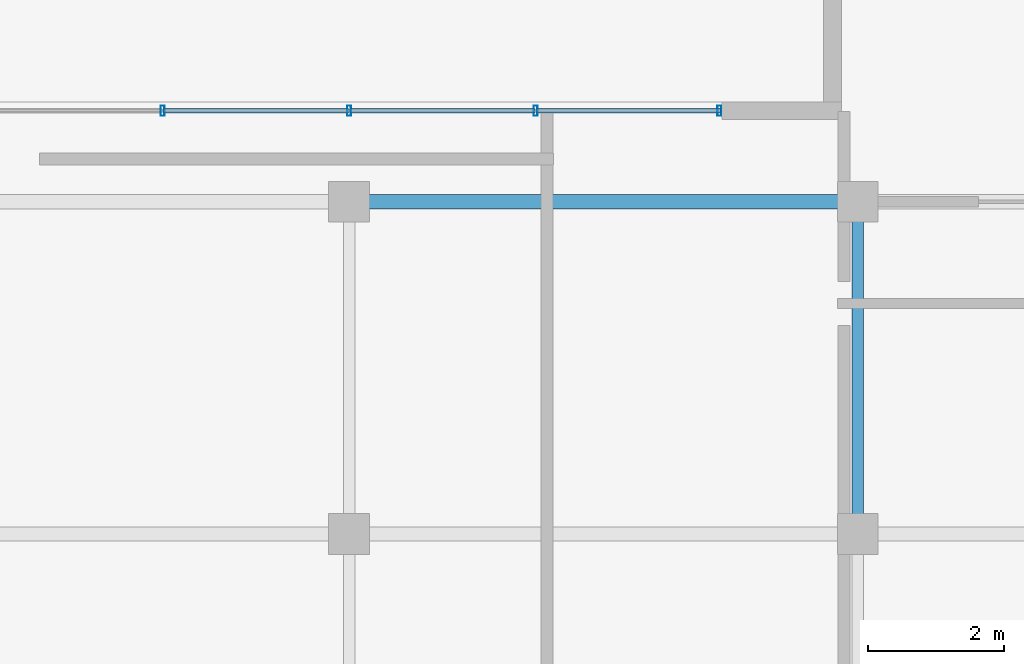
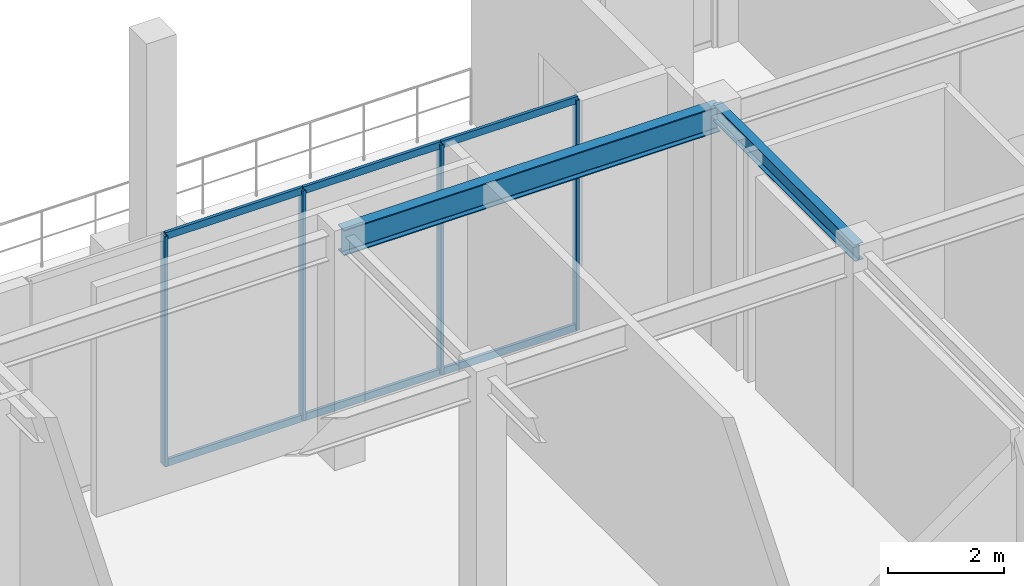
# One storey, part 4 of 12: 10 members, 2 beams, 1 element without a shape of its own.
"""IFC4 building model written with IfcOpenShell, lengths in metres."""

from ifc_helpers import new_model, si_unit, direction, frame, origin, origin_2d, place, context, subcontext, project, spatial, hollow_rectangle, i_section, extrude, material, material_profile, profile_set, type_object, element, aggregate, save


model = new_model("IFC4")

# Units and contexts
model_context = context("Model", 3, precision=1e-05, world=origin(), true_north=direction((0.0, 1.0)))
body_context = subcontext(model_context, "Body", "Model", "MODEL_VIEW")
ifc_project = project(units=[si_unit("LENGTHUNIT", "METRE"), si_unit("AREAUNIT", "SQUARE_METRE"), si_unit("VOLUMEUNIT", "CUBIC_METRE"), si_unit("PLANEANGLEUNIT", "RADIAN"), si_unit("MASSUNIT", "GRAM", prefix="KILO")], contexts=[model_context])

# Site, building, storey
site_placement = place(None, origin())
site = spatial("IfcSite", under=ifc_project, at=site_placement, CompositionType="ELEMENT")
building_placement = place(site_placement, origin())
building = spatial("IfcBuilding", under=site, at=building_placement, Name="Ventersveld Concourse Tower", CompositionType="ELEMENT")
storey_placement = place(building_placement, frame((0.0, 0.0, 251.699951171875)))
storey = spatial("IfcBuildingStorey", under=building, at=storey_placement, Name="L62", CompositionType="ELEMENT", Elevation=251.699951171875)

# Beam
ifc_material_1 = material(Name="Structural steel S355J2", Category="steel")
ifc_material_profile_1 = material_profile(ifc_material_1, i_section(OverallWidth=0.17138671875, OverallDepth=0.35498046875, WebThickness=0.00732421875, FlangeThickness=0.011474609375, FilletRadius=0.01025390625, at=origin_2d()), Name="UB 356x171x51")
ifc_profile_set_1 = profile_set([ifc_material_profile_1], Name="Structural steel S355J2")
beam_type_1 = type_object("IfcBeamType", Name="BM-UB356", PredefinedType="BEAM", material=ifc_profile_set_1)
beam_1_placement = place(storey_placement, frame((36.25, 23.60009765625, 4.672607421875), z_axis=(0.0, 1.0, 0.0), x_axis=(-1.0, 0.0, 0.0)))
element("IfcBeam", 1, at=beam_1_placement, inside=storey, type_object=beam_type_1, Name="L62 N-S Upper-Zone Floor Beam X=36.25", PredefinedType="BEAM", context=body_context, shape_type="SweptSolid", body=[
    extrude(i_section(OverallWidth=0.17138671875, OverallDepth=0.35498046875, WebThickness=0.00732421875, FlangeThickness=0.011474609375, FilletRadius=0.01025390625, at=origin_2d()), origin(), (0.0, 0.0, 1.0), 4.89990234375),
])

# Curtain wall, members
ifc_material_2 = material(Name="Anodised aluminium EN AW-6063-T6", Category="aluminium")
curtain_wall_type = type_object("IfcCurtainWallType", Name="CW-SG-4", PredefinedType="NOTDEFINED", material=ifc_material_2)
curtain_wall_placement = place(storey_placement, origin())
curtain_wall = element("IfcCurtainWall", 2, at=curtain_wall_placement, inside=storey, type_object=curtain_wall_type, Name="L62 L62 Sky Garden Recessed Curtain Wall", PredefinedType="NOTDEFINED")
ifc_material_profile_2 = material_profile(ifc_material_2, hollow_rectangle(XDim=0.06005859375, YDim=0.14990234375, WallThickness=0.00390625, at=origin_2d()), Name="ALU 150x60x4")
ifc_profile_set_2 = profile_set([ifc_material_profile_2], Name="Anodised aluminium EN AW-6063-T6")
member_type_1 = type_object("IfcMemberType", Name="CWM-150x65", PredefinedType="MULLION", material=ifc_profile_set_2)
member_1_placement = place(storey_placement, frame((26.0, 29.841796875, 0.0), z_axis=(0.0, 0.0, 1.0), x_axis=(1.0, 0.0, 0.0)))
member_1 = element("IfcMember", 3, at=member_1_placement, type_object=member_type_1, Name="CW-L62-SG Mullion 02", PredefinedType="MULLION", context=body_context, shape_type="SweptSolid", body=[
    extrude(hollow_rectangle(XDim=0.06005859375, YDim=0.14990234375, WallThickness=0.00390625, at=origin_2d()), origin(), (0.0, 0.0, 1.0), 4.85009765625),
])
member_2_placement = place(storey_placement, frame((28.75, 29.841796875, 0.0), z_axis=(0.0, 0.0, 1.0), x_axis=(1.0, 0.0, 0.0)))
member_2 = element("IfcMember", 4, at=member_2_placement, type_object=member_type_1, Name="CW-L62-SG Mullion 03", PredefinedType="MULLION", context=body_context, shape_type="SweptSolid", body=[
    extrude(hollow_rectangle(XDim=0.06005859375, YDim=0.14990234375, WallThickness=0.00390625, at=origin_2d()), origin(), (0.0, 0.0, 1.0), 4.85009765625),
])
member_3_placement = place(storey_placement, frame((31.5, 29.841796875, 0.0), z_axis=(0.0, 0.0, 1.0), x_axis=(1.0, 0.0, 0.0)))
member_3 = element("IfcMember", 5, at=member_3_placement, type_object=member_type_1, Name="CW-L62-SG Mullion 04", PredefinedType="MULLION", context=body_context, shape_type="SweptSolid", body=[
    extrude(hollow_rectangle(XDim=0.06005859375, YDim=0.14990234375, WallThickness=0.00390625, at=origin_2d()), origin(), (0.0, 0.0, 1.0), 4.85009765625),
])
member_4_placement = place(storey_placement, frame((34.2099609375, 29.841796875, 0.0), z_axis=(0.0, 0.0, 1.0), x_axis=(1.0, 0.0, 0.0)))
member_4 = element("IfcMember", 6, at=member_4_placement, type_object=member_type_1, Name="CW-L62-SG Mullion 05", PredefinedType="MULLION", context=body_context, shape_type="SweptSolid", body=[
    extrude(hollow_rectangle(XDim=0.06005859375, YDim=0.14990234375, WallThickness=0.00390625, at=origin_2d()), origin(), (0.0, 0.0, 1.0), 4.85009765625),
])
ifc_material_profile_3 = material_profile(ifc_material_2, hollow_rectangle(XDim=0.06005859375, YDim=0.14990234375, WallThickness=0.00390625, at=origin_2d()), Name="ALU 150x60x4")
ifc_profile_set_3 = profile_set([ifc_material_profile_3], Name="Anodised aluminium EN AW-6063-T6")
member_type_2 = type_object("IfcMemberType", Name="CWT-150x60", PredefinedType="USERDEFINED", material=ifc_profile_set_3)
member_5_placement = place(storey_placement, frame((26.010009765625, 29.841796875, 0.030029296875), z_axis=(1.0, 0.0, 0.0), x_axis=(0.0, 1.0, 0.0)))
member_5 = element("IfcMember", 7, at=member_5_placement, type_object=member_type_2, Name="CW-L62-SG Transom 1-02", ObjectType="TRANSOM", PredefinedType="USERDEFINED", context=body_context, shape_type="SweptSolid", body=[
    extrude(hollow_rectangle(XDim=0.06005859375, YDim=0.14990234375, WallThickness=0.00390625, at=origin_2d()), origin(), (0.0, 0.0, 1.0), 2.72998046875),
])
member_6_placement = place(storey_placement, frame((28.760009765625, 29.841796875, 0.030029296875), z_axis=(1.0, 0.0, 0.0), x_axis=(0.0, 1.0, 0.0)))
member_6 = element("IfcMember", 8, at=member_6_placement, type_object=member_type_2, Name="CW-L62-SG Transom 1-03", ObjectType="TRANSOM", PredefinedType="USERDEFINED", context=body_context, shape_type="SweptSolid", body=[
    extrude(hollow_rectangle(XDim=0.06005859375, YDim=0.14990234375, WallThickness=0.00390625, at=origin_2d()), origin(), (0.0, 0.0, 1.0), 2.72998046875),
])
member_7_placement = place(storey_placement, frame((31.510009765625, 29.841796875, 0.030029296875), z_axis=(1.0, 0.0, 0.0), x_axis=(0.0, 1.0, 0.0)))
member_7 = element("IfcMember", 9, at=member_7_placement, type_object=member_type_2, Name="CW-L62-SG Transom 1-04", ObjectType="TRANSOM", PredefinedType="USERDEFINED", context=body_context, shape_type="SweptSolid", body=[
    extrude(hollow_rectangle(XDim=0.06005859375, YDim=0.14990234375, WallThickness=0.00390625, at=origin_2d()), origin(), (0.0, 0.0, 1.0), 2.719970703125),
])
member_8_placement = place(storey_placement, frame((26.010009765625, 29.841796875, 4.820068359375), z_axis=(1.0, 0.0, 0.0), x_axis=(0.0, 1.0, 0.0)))
member_8 = element("IfcMember", 10, at=member_8_placement, type_object=member_type_2, Name="CW-L62-SG Transom 2-02", ObjectType="TRANSOM", PredefinedType="USERDEFINED", context=body_context, shape_type="SweptSolid", body=[
    extrude(hollow_rectangle(XDim=0.06005859375, YDim=0.14990234375, WallThickness=0.00390625, at=origin_2d()), origin(), (0.0, 0.0, 1.0), 2.72998046875),
])
member_9_placement = place(storey_placement, frame((28.760009765625, 29.841796875, 4.820068359375), z_axis=(1.0, 0.0, 0.0), x_axis=(0.0, 1.0, 0.0)))
member_9 = element("IfcMember", 11, at=member_9_placement, type_object=member_type_2, Name="CW-L62-SG Transom 2-03", ObjectType="TRANSOM", PredefinedType="USERDEFINED", context=body_context, shape_type="SweptSolid", body=[
    extrude(hollow_rectangle(XDim=0.06005859375, YDim=0.14990234375, WallThickness=0.00390625, at=origin_2d()), origin(), (0.0, 0.0, 1.0), 2.72998046875),
])
member_10_placement = place(storey_placement, frame((31.510009765625, 29.841796875, 4.820068359375), z_axis=(1.0, 0.0, 0.0), x_axis=(0.0, 1.0, 0.0)))
member_10 = element("IfcMember", 12, at=member_10_placement, type_object=member_type_2, Name="CW-L62-SG Transom 2-04", ObjectType="TRANSOM", PredefinedType="USERDEFINED", context=body_context, shape_type="SweptSolid", body=[
    extrude(hollow_rectangle(XDim=0.06005859375, YDim=0.14990234375, WallThickness=0.00390625, at=origin_2d()), origin(), (0.0, 0.0, 1.0), 2.719970703125),
])
aggregate(curtain_wall, [member_1, member_2, member_3, member_4, member_5, member_6, member_7, member_8, member_9, member_10])

# Beam
ifc_material_profile_4 = material_profile(ifc_material_1, i_section(OverallWidth=0.2119140625, OverallDepth=0.54443359375, WebThickness=0.0126953125, FlangeThickness=0.021240234375, FilletRadius=0.0126953125, at=origin_2d()), Name="UB 533x210x122")
ifc_profile_set_4 = profile_set([ifc_material_profile_4], Name="Structural steel S355J2")
beam_type_2 = type_object("IfcBeamType", Name="GRD-UB533H", PredefinedType="T_BEAM", material=ifc_profile_set_4)
beam_2_placement = place(storey_placement, frame((28.75, 28.5, 4.577880859375), z_axis=(1.0, 0.0, 0.0), x_axis=(0.0, 1.0, 0.0)))
element("IfcBeam", 13, at=beam_2_placement, inside=storey, type_object=beam_type_2, Name="L62 Upper-North E-W Girder Y=28.50 #3", PredefinedType="T_BEAM", context=body_context, shape_type="SweptSolid", body=[
    extrude(i_section(OverallWidth=0.2119140625, OverallDepth=0.54443359375, WebThickness=0.0126953125, FlangeThickness=0.021240234375, FilletRadius=0.0126953125, at=origin_2d()), origin(), (0.0, 0.0, 1.0), 7.5),
])

save(model, "model.ifc")
